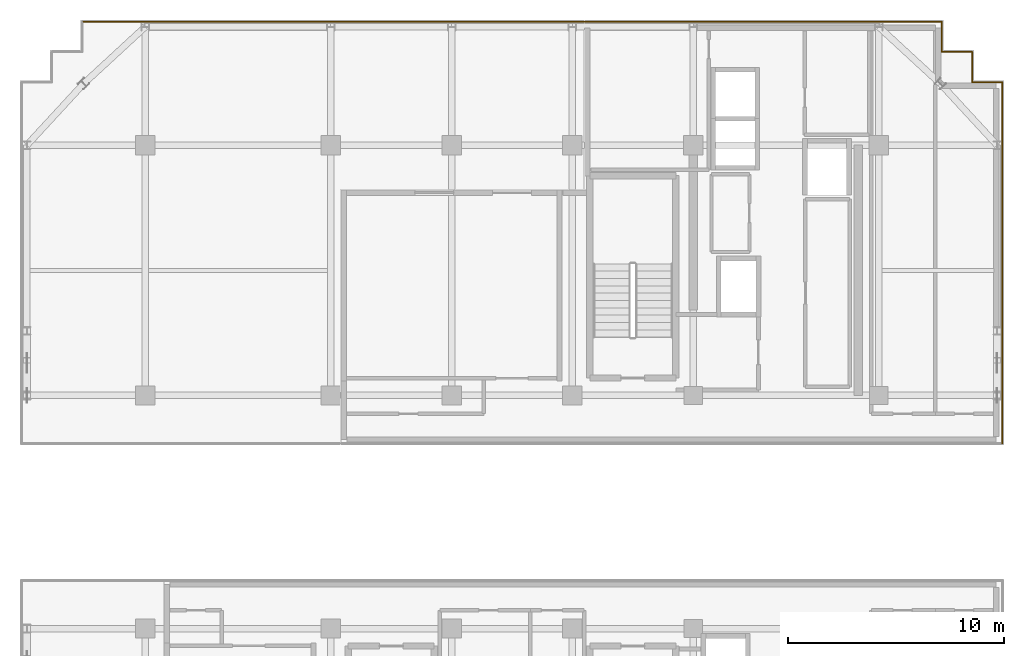
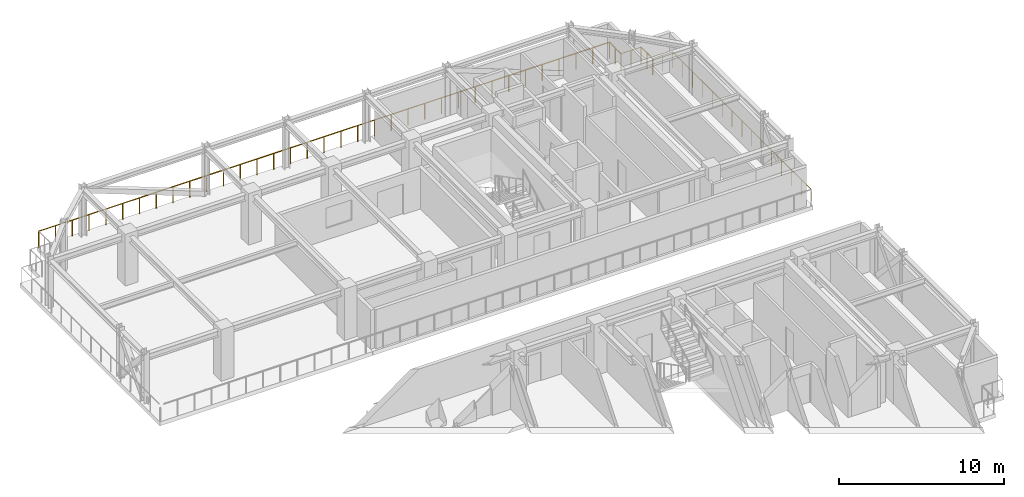
# One storey, part 14 of 14: 6 railings.
"""IFC4 building model written with IfcOpenShell, lengths in metres."""

from ifc_helpers import new_model, si_unit, direction, frame, origin, origin_2d, place, context, subcontext, project, spatial, circle, extrude, material, type_object, element, save


model = new_model("IFC4")

# Units and contexts
model_context = context("Model", 3, precision=1e-05, world=origin(), true_north=direction((0.0, 1.0)))
body_context = subcontext(model_context, "Body", "Model", "MODEL_VIEW")
ifc_project = project(units=[si_unit("LENGTHUNIT", "METRE"), si_unit("AREAUNIT", "SQUARE_METRE"), si_unit("VOLUMEUNIT", "CUBIC_METRE"), si_unit("PLANEANGLEUNIT", "RADIAN"), si_unit("MASSUNIT", "GRAM", prefix="KILO")], contexts=[model_context])

# Site, building, storey
site_placement = place(None, origin())
site = spatial("IfcSite", under=ifc_project, at=site_placement, CompositionType="ELEMENT")
building_placement = place(site_placement, origin())
building = spatial("IfcBuilding", under=site, at=building_placement, Name="Nahalor Promenade Grand Hotel", CompositionType="ELEMENT")
storey_placement = place(building_placement, frame((0.0, 0.0, 296.5)))
storey = spatial("IfcBuildingStorey", under=building, at=storey_placement, Name="L76", CompositionType="ELEMENT", Elevation=296.5)

# Railings
ifc_material = material(Name="Anodised Bronze Aluminium EN AW-6063 T6", Category="aluminium")
railing_type = type_object("IfcRailingType", Name="Bronze Balcony Guardrail 1200 mm", PredefinedType="GUARDRAIL", material=ifc_material)
railing_1_placement = place(storey_placement, frame((22.719970703125, 3.179931640625, 0.0)))
element("IfcRailing", 1, at=railing_1_placement, inside=storey, type_object=railing_type, Name="L76 Edge Guardrail RL-L76-WP-N-2", PredefinedType="GUARDRAIL", context=body_context, shape_type="SweptSolid", body=[
    extrude(circle(Radius=0.024048, at=origin_2d()), frame((0.0, 0.0, 1.17578125), z_axis=(0.0, 1.0, 0.0), x_axis=(-1.0, 0.0, 0.0)), (0.0, 0.0, 1.0), 16.739990234375),
    extrude(circle(Radius=0.020996, at=origin_2d()), origin(), (0.0, 0.0, 1.0), 1.14990234375),
    extrude(circle(Radius=0.020996, at=origin_2d()), frame((0.0, 1.19580078125, 0.0)), (0.0, 0.0, 1.0), 1.14990234375),
    extrude(circle(Radius=0.020996, at=origin_2d()), frame((0.0, 2.391357421875, 0.0)), (0.0, 0.0, 1.0), 1.14990234375),
    extrude(circle(Radius=0.020996, at=origin_2d()), frame((0.0, 3.587158203125, 0.0)), (0.0, 0.0, 1.0), 1.14990234375),
    extrude(circle(Radius=0.020996, at=origin_2d()), frame((0.0, 4.782958984375, 0.0)), (0.0, 0.0, 1.0), 1.14990234375),
    extrude(circle(Radius=0.020996, at=origin_2d()), frame((0.0, 5.978515625, 0.0)), (0.0, 0.0, 1.0), 1.14990234375),
    extrude(circle(Radius=0.020996, at=origin_2d()), frame((0.0, 7.17431640625, 0.0)), (0.0, 0.0, 1.0), 1.14990234375),
    extrude(circle(Radius=0.020996, at=origin_2d()), frame((0.0, 8.3701171875, 0.0)), (0.0, 0.0, 1.0), 1.14990234375),
    extrude(circle(Radius=0.020996, at=origin_2d()), frame((0.0, 9.565673828125, 0.0)), (0.0, 0.0, 1.0), 1.14990234375),
    extrude(circle(Radius=0.020996, at=origin_2d()), frame((0.0, 10.761474609375, 0.0)), (0.0, 0.0, 1.0), 1.14990234375),
    extrude(circle(Radius=0.020996, at=origin_2d()), frame((0.0, 11.95703125, 0.0)), (0.0, 0.0, 1.0), 1.14990234375),
    extrude(circle(Radius=0.020996, at=origin_2d()), frame((0.0, 13.15283203125, 0.0)), (0.0, 0.0, 1.0), 1.14990234375),
    extrude(circle(Radius=0.020996, at=origin_2d()), frame((0.0, 14.3486328125, 0.0)), (0.0, 0.0, 1.0), 1.14990234375),
    extrude(circle(Radius=0.020996, at=origin_2d()), frame((0.0, 15.544189453125, 0.0)), (0.0, 0.0, 1.0), 1.14990234375),
    extrude(circle(Radius=0.020996, at=origin_2d()), frame((0.0, 16.739990234375, 0.0)), (0.0, 0.0, 1.0), 1.14990234375),
])
railing_2_placement = place(storey_placement, frame((22.719970703125, 19.919921875, 0.0)))
element("IfcRailing", 2, at=railing_2_placement, inside=storey, type_object=railing_type, Name="L76 Edge Guardrail RL-L76-WP-N-3", PredefinedType="GUARDRAIL", context=body_context, shape_type="SweptSolid", body=[
    extrude(circle(Radius=0.024048, at=origin_2d()), frame((0.0, 0.0, 1.17578125), z_axis=(-1.0, 0.0, 0.0), x_axis=(0.0, -1.0, 0.0)), (0.0, 0.0, 1.0), 1.39990234375),
    extrude(circle(Radius=0.020996, at=origin_2d()), origin(), (0.0, 0.0, 1.0), 1.14990234375),
    extrude(circle(Radius=0.020996, at=origin_2d()), frame((-0.699951171875, 0.0, 0.0)), (0.0, 0.0, 1.0), 1.14990234375),
    extrude(circle(Radius=0.020996, at=origin_2d()), frame((-1.39990234375, 0.0, 0.0)), (0.0, 0.0, 1.0), 1.14990234375),
])
railing_3_placement = place(storey_placement, frame((21.320068359375, 19.919921875, 0.0)))
element("IfcRailing", 3, at=railing_3_placement, inside=storey, type_object=railing_type, Name="L76 Edge Guardrail RL-L76-WP-N-4", PredefinedType="GUARDRAIL", context=body_context, shape_type="SweptSolid", body=[
    extrude(circle(Radius=0.024048, at=origin_2d()), frame((0.0, 0.0, 1.17578125), z_axis=(0.0, 1.0, 0.0), x_axis=(-1.0, 0.0, 0.0)), (0.0, 0.0, 1.0), 1.400146484375),
    extrude(circle(Radius=0.020996, at=origin_2d()), origin(), (0.0, 0.0, 1.0), 1.14990234375),
    extrude(circle(Radius=0.020996, at=origin_2d()), frame((0.0, 0.7001953125, 0.0)), (0.0, 0.0, 1.0), 1.14990234375),
    extrude(circle(Radius=0.020996, at=origin_2d()), frame((0.0, 1.400146484375, 0.0)), (0.0, 0.0, 1.0), 1.14990234375),
])
railing_4_placement = place(storey_placement, frame((21.320068359375, 21.320068359375, 0.0)))
element("IfcRailing", 4, at=railing_4_placement, inside=storey, type_object=railing_type, Name="L76 Edge Guardrail RL-L76-WP-N-5", PredefinedType="GUARDRAIL", context=body_context, shape_type="SweptSolid", body=[
    extrude(circle(Radius=0.024048, at=origin_2d()), frame((0.0, 0.0, 1.17578125), z_axis=(-1.0, 0.0, 0.0), x_axis=(0.0, -1.0, 0.0)), (0.0, 0.0, 1.0), 1.400146484375),
    extrude(circle(Radius=0.020996, at=origin_2d()), origin(), (0.0, 0.0, 1.0), 1.14990234375),
    extrude(circle(Radius=0.020996, at=origin_2d()), frame((-0.7001953125, 0.0, 0.0)), (0.0, 0.0, 1.0), 1.14990234375),
    extrude(circle(Radius=0.020996, at=origin_2d()), frame((-1.400146484375, 0.0, 0.0)), (0.0, 0.0, 1.0), 1.14990234375),
])
railing_5_placement = place(storey_placement, frame((19.919921875, 21.320068359375, 0.0)))
element("IfcRailing", 5, at=railing_5_placement, inside=storey, type_object=railing_type, Name="L76 Edge Guardrail RL-L76-WP-N-6", PredefinedType="GUARDRAIL", context=body_context, shape_type="SweptSolid", body=[
    extrude(circle(Radius=0.024048, at=origin_2d()), frame((0.0, 0.0, 1.17578125), z_axis=(0.0, 1.0, 0.0), x_axis=(-1.0, 0.0, 0.0)), (0.0, 0.0, 1.0), 1.39990234375),
    extrude(circle(Radius=0.020996, at=origin_2d()), origin(), (0.0, 0.0, 1.0), 1.14990234375),
    extrude(circle(Radius=0.020996, at=origin_2d()), frame((0.0, 0.699951171875, 0.0)), (0.0, 0.0, 1.0), 1.14990234375),
    extrude(circle(Radius=0.020996, at=origin_2d()), frame((0.0, 1.39990234375, 0.0)), (0.0, 0.0, 1.0), 1.14990234375),
])
railing_6_placement = place(storey_placement, frame((19.919921875, 22.719970703125, 0.0)))
element("IfcRailing", 6, at=railing_6_placement, inside=storey, type_object=railing_type, Name="L76 Edge Guardrail RL-L76-WP-N-7", PredefinedType="GUARDRAIL", context=body_context, shape_type="SweptSolid", body=[
    extrude(circle(Radius=0.024048, at=origin_2d()), frame((0.0, 0.0, 1.17578125), z_axis=(-1.0, 0.0, 0.0), x_axis=(0.0, -1.0, 0.0)), (0.0, 0.0, 1.0), 39.83984375),
    extrude(circle(Radius=0.020996, at=origin_2d()), origin(), (0.0, 0.0, 1.0), 1.14990234375),
    extrude(circle(Radius=0.020996, at=origin_2d()), frame((-1.171875, 0.0, 0.0)), (0.0, 0.0, 1.0), 1.14990234375),
    extrude(circle(Radius=0.020996, at=origin_2d()), frame((-2.343505859375, 0.0, 0.0)), (0.0, 0.0, 1.0), 1.14990234375),
    extrude(circle(Radius=0.020996, at=origin_2d()), frame((-3.515380859375, 0.0, 0.0)), (0.0, 0.0, 1.0), 1.14990234375),
    extrude(circle(Radius=0.020996, at=origin_2d()), frame((-4.68701171875, 0.0, 0.0)), (0.0, 0.0, 1.0), 1.14990234375),
    extrude(circle(Radius=0.020996, at=origin_2d()), frame((-5.85888671875, 0.0, 0.0)), (0.0, 0.0, 1.0), 1.14990234375),
    extrude(circle(Radius=0.020996, at=origin_2d()), frame((-7.030517578125, 0.0, 0.0)), (0.0, 0.0, 1.0), 1.14990234375),
    extrude(circle(Radius=0.020996, at=origin_2d()), frame((-8.202392578125, 0.0, 0.0)), (0.0, 0.0, 1.0), 1.14990234375),
    extrude(circle(Radius=0.020996, at=origin_2d()), frame((-9.3740234375, 0.0, 0.0)), (0.0, 0.0, 1.0), 1.14990234375),
    extrude(circle(Radius=0.020996, at=origin_2d()), frame((-10.5458984375, 0.0, 0.0)), (0.0, 0.0, 1.0), 1.14990234375),
    extrude(circle(Radius=0.020996, at=origin_2d()), frame((-11.717529296875, 0.0, 0.0)), (0.0, 0.0, 1.0), 1.14990234375),
    extrude(circle(Radius=0.020996, at=origin_2d()), frame((-12.889404296875, 0.0, 0.0)), (0.0, 0.0, 1.0), 1.14990234375),
    extrude(circle(Radius=0.020996, at=origin_2d()), frame((-14.06103515625, 0.0, 0.0)), (0.0, 0.0, 1.0), 1.14990234375),
    extrude(circle(Radius=0.020996, at=origin_2d()), frame((-15.23291015625, 0.0, 0.0)), (0.0, 0.0, 1.0), 1.14990234375),
    extrude(circle(Radius=0.020996, at=origin_2d()), frame((-16.404541015625, 0.0, 0.0)), (0.0, 0.0, 1.0), 1.14990234375),
    extrude(circle(Radius=0.020996, at=origin_2d()), frame((-17.576416015625, 0.0, 0.0)), (0.0, 0.0, 1.0), 1.14990234375),
    extrude(circle(Radius=0.020996, at=origin_2d()), frame((-18.748046875, 0.0, 0.0)), (0.0, 0.0, 1.0), 1.14990234375),
    extrude(circle(Radius=0.020996, at=origin_2d()), frame((-19.919921875, 0.0, 0.0)), (0.0, 0.0, 1.0), 1.14990234375),
    extrude(circle(Radius=0.020996, at=origin_2d()), frame((-21.091796875, 0.0, 0.0)), (0.0, 0.0, 1.0), 1.14990234375),
    extrude(circle(Radius=0.020996, at=origin_2d()), frame((-22.263427734375, 0.0, 0.0)), (0.0, 0.0, 1.0), 1.14990234375),
    extrude(circle(Radius=0.020996, at=origin_2d()), frame((-23.435302734375, 0.0, 0.0)), (0.0, 0.0, 1.0), 1.14990234375),
    extrude(circle(Radius=0.020996, at=origin_2d()), frame((-24.60693359375, 0.0, 0.0)), (0.0, 0.0, 1.0), 1.14990234375),
    extrude(circle(Radius=0.020996, at=origin_2d()), frame((-25.77880859375, 0.0, 0.0)), (0.0, 0.0, 1.0), 1.14990234375),
    extrude(circle(Radius=0.020996, at=origin_2d()), frame((-26.950439453125, 0.0, 0.0)), (0.0, 0.0, 1.0), 1.14990234375),
    extrude(circle(Radius=0.020996, at=origin_2d()), frame((-28.122314453125, 0.0, 0.0)), (0.0, 0.0, 1.0), 1.14990234375),
    extrude(circle(Radius=0.020996, at=origin_2d()), frame((-29.2939453125, 0.0, 0.0)), (0.0, 0.0, 1.0), 1.14990234375),
    extrude(circle(Radius=0.020996, at=origin_2d()), frame((-30.4658203125, 0.0, 0.0)), (0.0, 0.0, 1.0), 1.14990234375),
    extrude(circle(Radius=0.020996, at=origin_2d()), frame((-31.637451171875, 0.0, 0.0)), (0.0, 0.0, 1.0), 1.14990234375),
    extrude(circle(Radius=0.020996, at=origin_2d()), frame((-32.809326171875, 0.0, 0.0)), (0.0, 0.0, 1.0), 1.14990234375),
    extrude(circle(Radius=0.020996, at=origin_2d()), frame((-33.98095703125, 0.0, 0.0)), (0.0, 0.0, 1.0), 1.14990234375),
    extrude(circle(Radius=0.020996, at=origin_2d()), frame((-35.15283203125, 0.0, 0.0)), (0.0, 0.0, 1.0), 1.14990234375),
    extrude(circle(Radius=0.020996, at=origin_2d()), frame((-36.324462890625, 0.0, 0.0)), (0.0, 0.0, 1.0), 1.14990234375),
    extrude(circle(Radius=0.020996, at=origin_2d()), frame((-37.496337890625, 0.0, 0.0)), (0.0, 0.0, 1.0), 1.14990234375),
    extrude(circle(Radius=0.020996, at=origin_2d()), frame((-38.66796875, 0.0, 0.0)), (0.0, 0.0, 1.0), 1.14990234375),
    extrude(circle(Radius=0.020996, at=origin_2d()), frame((-39.83984375, 0.0, 0.0)), (0.0, 0.0, 1.0), 1.14990234375),
])

save(model, "model.ifc")
